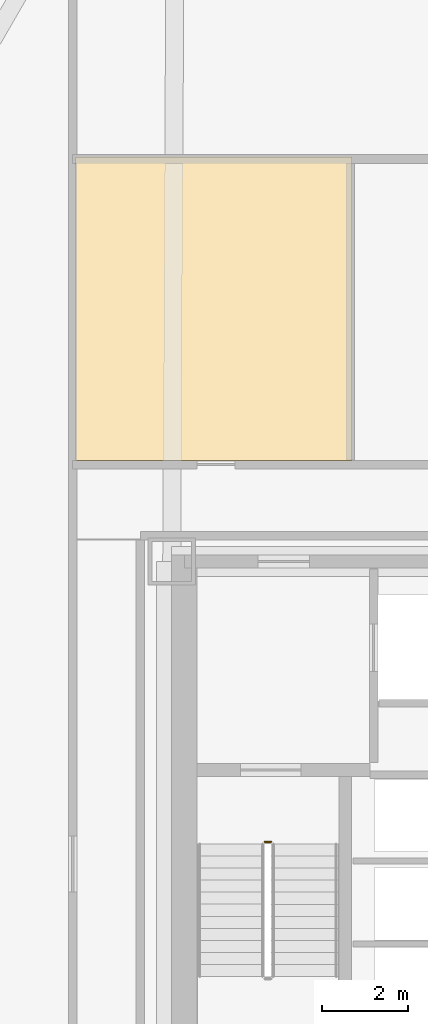
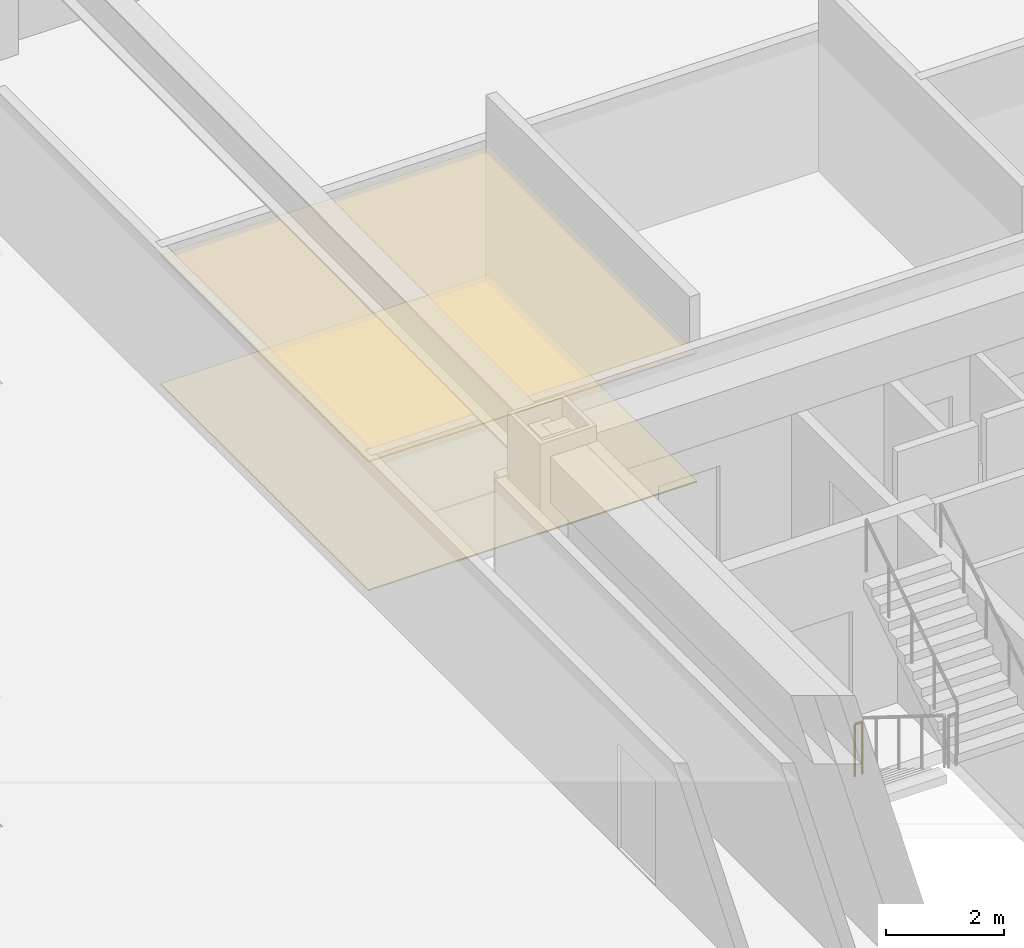
# One storey, part 18 of 22: 2 coverings, 1 railing.
"""IFC4 building model written with IfcOpenShell, lengths in metres."""

from ifc_helpers import new_model, si_unit, direction, frame, origin, origin_2d, place, context, subcontext, project, spatial, polyline, circle, outline, extrude, material, layer, layer_set, type_object, element, save


model = new_model("IFC4")

# Units and contexts
model_context = context("Model", 3, precision=1e-05, world=origin(), true_north=direction((0.0, 1.0)))
body_context = subcontext(model_context, "Body", "Model", "MODEL_VIEW")
ifc_project = project(units=[si_unit("LENGTHUNIT", "METRE"), si_unit("AREAUNIT", "SQUARE_METRE"), si_unit("VOLUMEUNIT", "CUBIC_METRE"), si_unit("PLANEANGLEUNIT", "RADIAN"), si_unit("MASSUNIT", "GRAM", prefix="KILO")], contexts=[model_context])

# Site, building, storey
site_placement = place(None, origin())
site = spatial("IfcSite", under=ifc_project, at=site_placement, CompositionType="ELEMENT")
building_placement = place(site_placement, origin())
building = spatial("IfcBuilding", under=site, at=building_placement, Name="Oramaril Tower", CompositionType="ELEMENT")
storey_placement = place(building_placement, frame((0.0, 0.0, 18.300048828125)))
storey = spatial("IfcBuildingStorey", under=building, at=storey_placement, Name="L04", CompositionType="ELEMENT", Elevation=18.300048828125)

# Coverings
ifc_material_1 = material(Name="Mineral Fibre Acoustic Ceiling")
ifc_layer_1 = layer(ifc_material_1, 0.02001953125)
ifc_layer_set_1 = layer_set([ifc_layer_1], Name="CVT-CEIL")
covering_type_1 = type_object("IfcCoveringType", Name="CVT-CEIL", PredefinedType="CEILING", material=ifc_layer_set_1)
covering_1_placement = place(storey_placement, frame((0.0, 0.0, 2.661865234375)))
element("IfcCovering", 1, at=covering_1_placement, inside=storey, type_object=covering_type_1, Name="L04 Acoustic Suspended Ceiling 8", PredefinedType="CEILING", context=body_context, shape_type="SweptSolid", body=[
    extrude(outline(polyline([(33.5419921875, 33.5419921875), (33.5419921875, 26.5), (27.112060546875, 26.5), (27.112060546875, 33.5419921875), (33.5419921875, 33.5419921875)])), origin(), (0.0, 0.0, 1.0), 0.02001953125),
])
ifc_material_2 = material(Name="Honed Quartzite Stone Flooring", Category="masonry")
ifc_layer_2 = layer(ifc_material_2, 0.02490234375)
ifc_layer_set_2 = layer_set([ifc_layer_2], Name="CVT-FLR")
covering_type_2 = type_object("IfcCoveringType", Name="CVT-FLR", PredefinedType="FLOORING", material=ifc_layer_set_2)
covering_2_placement = place(storey_placement, origin())
element("IfcCovering", 2, at=covering_2_placement, inside=storey, type_object=covering_type_2, Name="L04 Honed Stone Floor Finish 8", PredefinedType="FLOORING", context=body_context, shape_type="SweptSolid", body=[
    extrude(outline(polyline([(33.5419921875, 33.5419921875), (33.5419921875, 26.5), (27.112060546875, 26.5), (27.112060546875, 33.5419921875), (33.5419921875, 33.5419921875)])), origin(), (0.0, 0.0, 1.0), 0.02490234375),
])

# Railing
ifc_material_3 = material(Name="Stainless Steel 316L", Category="steel")
railing_type = type_object("IfcRailingType", Name="RLT-GRD", PredefinedType="GUARDRAIL", material=ifc_material_3)
railing_placement = place(storey_placement, frame((31.510009765625, 17.639892578125, 0.0)))
element("IfcRailing", 3, at=railing_placement, inside=storey, type_object=railing_type, Name="L04 ST-1 stair guard 4", PredefinedType="GUARDRAIL", context=body_context, shape_type="SweptSolid", body=[
    extrude(circle(Radius=0.02392578125, at=origin_2d()), frame((0.0, 0.0, 1.076171875), z_axis=(1.0, 0.0, 0.0), x_axis=(0.0, 1.0, 0.0)), (0.0, 0.0, 1.0), 0.14990234375),
    extrude(circle(Radius=0.02099609375, at=origin_2d()), origin(), (0.0, 0.0, 1.0), 1.052001953125),
    extrude(circle(Radius=0.02099609375, at=origin_2d()), frame((0.14990234375, 0.0, 0.0)), (0.0, 0.0, 1.0), 1.052001953125),
])

save(model, "model.ifc")
